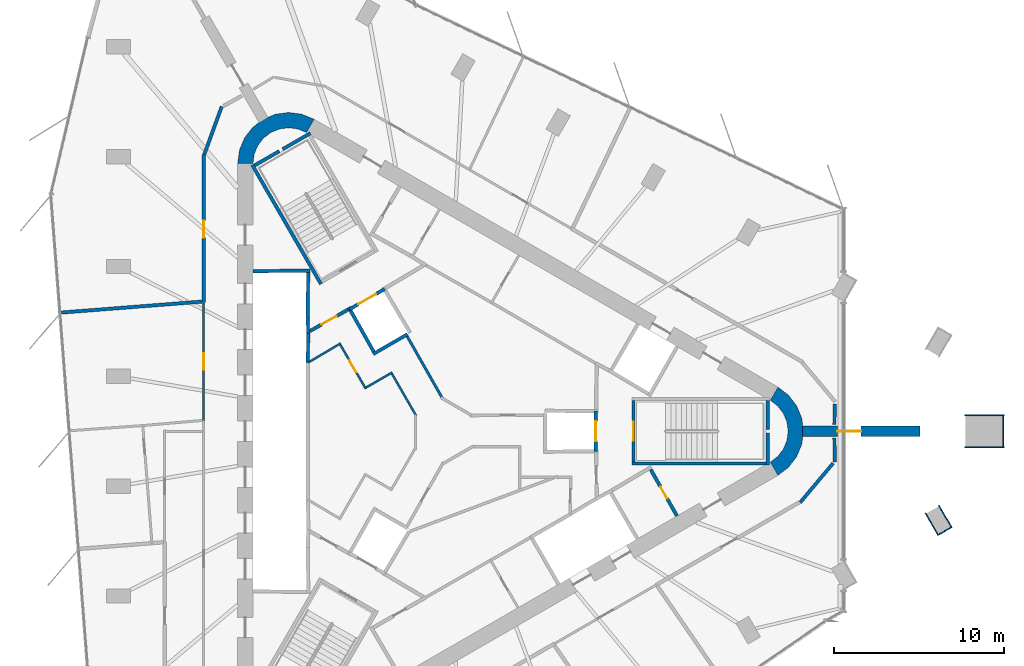
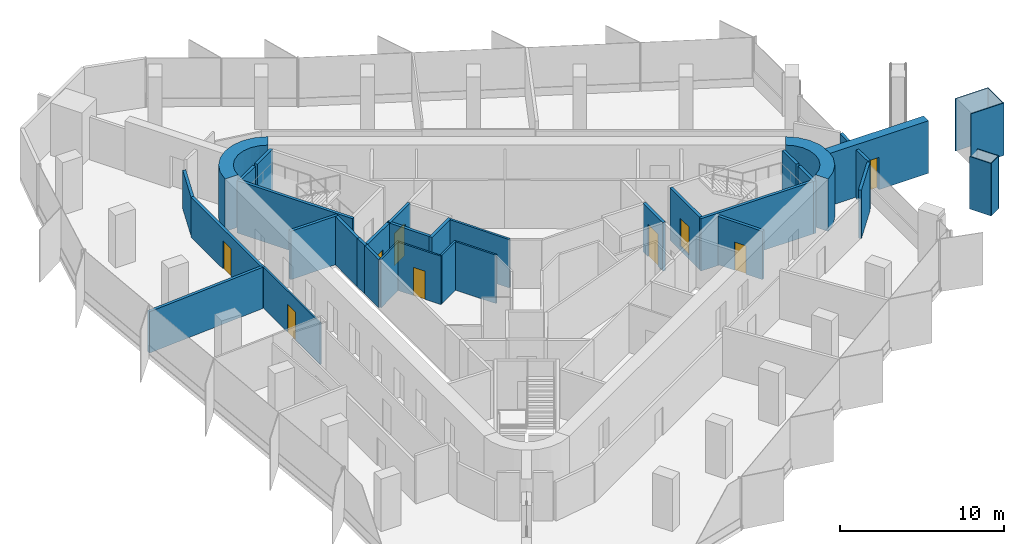
# One storey, part 9 of 12: 38 walls, 9 doors, 9 openings.
"""IFC4 building model written with IfcOpenShell, lengths in metres."""

from ifc_helpers import new_model, si_unit, direction, frame, frame_2d, origin, place, context, subcontext, project, spatial, polyline, rectangle, outline, extrude, material, layer, layer_set, type_object, element, fill, save


model = new_model("IFC4")

# Units and contexts
model_context = context("Model", 3, precision=1e-05, world=origin(), true_north=direction((0.0, 1.0)))
body_context = subcontext(model_context, "Body", "Model", "MODEL_VIEW")
ifc_project = project(units=[si_unit("LENGTHUNIT", "METRE"), si_unit("AREAUNIT", "SQUARE_METRE"), si_unit("VOLUMEUNIT", "CUBIC_METRE"), si_unit("PLANEANGLEUNIT", "RADIAN"), si_unit("MASSUNIT", "GRAM", prefix="KILO")], contexts=[model_context])

# Site, building, storey
site_placement = place(None, origin())
site = spatial("IfcSite", under=ifc_project, at=site_placement, CompositionType="ELEMENT")
building_placement = place(site_placement, origin())
building = spatial("IfcBuilding", under=site, at=building_placement, Name="Tanit Gate Tower", CompositionType="ELEMENT")
storey_placement = place(building_placement, frame((0.0, 0.0, 376.699951171875)))
storey = spatial("IfcBuildingStorey", under=building, at=storey_placement, Name="L86", CompositionType="ELEMENT", Elevation=376.699951171875)

# Wall, opening, door
ifc_material_1 = material(Name="Concrete C40/50", Category="concrete")
ifc_layer_1 = layer(ifc_material_1, 0.60009765625)
ifc_layer_set_1 = layer_set([ifc_layer_1], Name="BUTTRESS FIN 600 C40/50")
wall_type_1 = type_object("IfcWallType", Name="BUTTRESS FIN 600 C40/50", PredefinedType="SHEAR", material=ifc_layer_set_1)
wall_1_placement = place(storey_placement, frame((21.14990234375, 0.0, 0.0), z_axis=(0.0, 0.0, 1.0), x_axis=(1.0, 0.0, 0.0)))
wall_1 = element("IfcWall", 1, at=wall_1_placement, inside=storey, type_object=wall_type_1, Name="BUTTRESS FIN", PredefinedType="SHEAR", context=body_context, shape_type="SweptSolid", body=[
    extrude(rectangle(XDim=6.92138671875, YDim=0.60009765625, at=frame_2d((3.460693359375, 0.0))), origin(), (0.0, 0.0, 1.0), 3.900146484375),
])
opening_1_placement = place(wall_1_placement, frame((2.050048828125, 0.0, 0.0)))
opening_1 = element("IfcOpeningElement", 2, at=opening_1_placement, cuts=wall_1, Name="Opening P14-86-F-E-1", PredefinedType="OPENING", context=body_context, shape_type="SweptSolid", body=[
    extrude(rectangle(XDim=1.39990234375, YDim=2.39990234375, at=frame_2d((0.699951171875, 1.199951171875))), frame((0.0, 0.31005859375, 0.0), z_axis=(0.0, -1.0, 0.0), x_axis=(1.0, 0.0, 0.0)), (0.0, 0.0, 1.0), 0.6201171875),
])
ifc_material_2 = material(Name="Timber door leaf", Category="wood")
door_type_1 = type_object("IfcDoorType", Name="INT-DOOR-FIN-PAIR-1400", OperationType="NOTDEFINED", PredefinedType="NOTDEFINED", material=ifc_material_2)
door_1_placement = place(opening_1_placement, origin())
door_1 = element("IfcDoor", 3, at=door_1_placement, inside=storey, type_object=door_type_1, Name="Door P14-86-F-E-1", OperationType="DOUBLE_DOOR_SINGLE_SWING", OverallHeight=2.39990234375, OverallWidth=1.39990234375, PredefinedType="NOTDEFINED", context=body_context, shape_type="SweptSolid", body=[
    extrude(rectangle(XDim=1.39990234375, YDim=2.39990234375, at=frame_2d((0.699951171875, 1.199951171875))), frame((0.0, 0.02490234375, 0.0), z_axis=(0.0, -1.0, 0.0), x_axis=(1.0, 0.0, 0.0)), (0.0, 0.0, 1.0), 0.050048828125),
])
fill(opening_1, door_1)

# Walls
ifc_material_3 = material(Name="Concrete C40/50", Category="concrete")
ifc_layer_2 = layer(ifc_material_3, 0.89990234375)
ifc_layer_set_2 = layer_set([ifc_layer_2], Name="CORE WALL 900 C40/50")
wall_type_2 = type_object("IfcWallType", Name="CORE WALL 900 C40/50", PredefinedType="SHEAR", material=ifc_layer_set_2)
wall_2_placement = place(storey_placement, origin())
element("IfcWall", 4, at=wall_2_placement, inside=storey, type_object=wall_type_2, Name="CORE WALL CORNER", PredefinedType="SHEAR", context=body_context, shape_type="SweptSolid", body=[
    extrude(outline(polyline([(-7.60009765625, 18.359619140625), (-8.323486328125, 18.659423828125), (-9.10009765625, 18.76171875), (-9.87646484375, 18.659423828125), (-10.60009765625, 18.359619140625), (-11.22119140625, 17.883056640625), (-11.697998046875, 17.26171875), (-11.997802734375, 16.5380859375), (-12.10009765625, 15.76171875), (-11.199951171875, 15.76171875), (-11.12841796875, 16.30517578125), (-10.918701171875, 16.811767578125), (-10.5849609375, 17.24658203125), (-10.14990234375, 17.580322265625), (-9.6435546875, 17.7900390625), (-9.10009765625, 17.86181640625), (-8.556396484375, 17.7900390625), (-8.050048828125, 17.580322265625), (-7.60009765625, 18.359619140625)])), origin(), (0.0, 0.0, 1.0), 3.900146484375),
])
wall_3_placement = place(storey_placement, origin())
element("IfcWall", 5, at=wall_3_placement, inside=storey, type_object=wall_type_2, Name="CORE WALL CORNER", PredefinedType="SHEAR", context=body_context, shape_type="SweptSolid", body=[
    extrude(outline(polyline([(19.699951171875, -2.59814453125), (20.3212890625, -2.121337890625), (20.798095703125, -1.5), (21.097900390625, -0.776611328125), (21.199951171875, 0.0), (21.097900390625, 0.776611328125), (20.798095703125, 1.5), (20.3212890625, 2.121337890625), (19.699951171875, 2.59814453125), (19.25, 1.818603515625), (19.684814453125, 1.48486328125), (20.018798828125, 1.050048828125), (20.228515625, 0.54345703125), (20.300048828125, 0.0), (20.228515625, -0.54345703125), (20.018798828125, -1.050048828125), (19.684814453125, -1.48486328125), (19.25, -1.818603515625), (19.699951171875, -2.59814453125)])), origin(), (0.0, 0.0, 1.0), 3.900146484375),
])
ifc_material_4 = material(Name="Bronze anodised aluminium cladding", Category="aluminium")
ifc_layer_3 = layer(ifc_material_4, 0.06005859375)
ifc_layer_set_3 = layer_set([ifc_layer_3], Name="Column casing bronze 60")
wall_type_3 = type_object("IfcWallType", Name="Column casing bronze 60", PredefinedType="SOLIDWALL", material=ifc_layer_set_3)
for number, where, z_axis, x_axis, name in (
    (6, (30.68359375, 0.929931640625, 0.0), (0.0, 0.0, 1.0), (1.0, 0.0, 0.0), "Column casing L86 M-E.L1"),
    (7, (30.68359375, -0.929931640625, 0.0), (0.0, 0.0, 1.0), (1.0, 0.0, 0.0), "Column casing L86 M-E.L2"),
):
    element("IfcWall", number, at=place(storey_placement, frame(where, z_axis=z_axis, x_axis=x_axis)), inside=storey, type_object=wall_type_3, Name=name, PredefinedType="SOLIDWALL", context=body_context, shape_type="SweptSolid", body=[
        extrude(rectangle(XDim=2.320068359375, YDim=0.06005859375, at=frame_2d((1.16015625, 0.0))), origin(), (0.0, 0.0, 1.0), 3.900146484375),
    ])
wall_4_placement = place(storey_placement, frame((32.9736328125, -0.89990234375, 0.0), z_axis=(0.0, 0.0, 1.0), x_axis=(0.0, 1.0, 0.0)))
element("IfcWall", 8, at=wall_4_placement, inside=storey, type_object=wall_type_3, Name="Column casing L86 M-E.S1", PredefinedType="SOLIDWALL", context=body_context, shape_type="SweptSolid", body=[
    extrude(rectangle(XDim=1.7998046875, YDim=0.06005859375, at=frame_2d((0.89990234375, 0.0))), origin(), (0.0, 0.0, 1.0), 3.900146484375),
])
wall_5_placement = place(storey_placement, frame((29.16650390625, -4.36083984375, 0.0), z_axis=(0.0, 0.0, 1.0), x_axis=(0.499991248344, -0.866030456496, 0.0)))
element("IfcWall", 9, at=wall_5_placement, inside=storey, type_object=wall_type_3, Name="Column casing L86 P-SE8.L1", PredefinedType="SOLIDWALL", context=body_context, shape_type="SweptSolid", body=[
    extrude(rectangle(XDim=1.52001953125, YDim=0.06005859375, at=frame_2d((0.760009765625, 0.0))), origin(), (0.0, 0.0, 1.0), 3.900146484375),
])
wall_6_placement = place(storey_placement, frame((28.378662109375, -4.81591796875, 0.0), z_axis=(0.0, 0.0, 1.0), x_axis=(0.500060803479, -0.865990296034, 0.0)))
element("IfcWall", 10, at=wall_6_placement, inside=storey, type_object=wall_type_3, Name="Column casing L86 P-SE8.L2", PredefinedType="SOLIDWALL", context=body_context, shape_type="SweptSolid", body=[
    extrude(rectangle(XDim=1.519775390625, YDim=0.06005859375, at=frame_2d((0.759765625, 0.0))), origin(), (0.0, 0.0, 1.0), 3.900146484375),
])
wall_7_placement = place(storey_placement, frame((29.1494140625, -6.09130859375, 0.0), z_axis=(0.0, 0.0, 1.0), x_axis=(0.866061263272, 0.499937884402, 0.0)))
element("IfcWall", 11, at=wall_7_placement, inside=storey, type_object=wall_type_3, Name="Column casing L86 P-SE8.S1", PredefinedType="SOLIDWALL", context=body_context, shape_type="SweptSolid", body=[
    extrude(rectangle(XDim=0.85009765625, YDim=0.06005859375, at=frame_2d((0.425048828125, 0.0))), origin(), (0.0, 0.0, 1.0), 3.900146484375),
])

# Wall, opening, door
ifc_material_5 = material(Name="Fire-rated gypsum board partition")
ifc_layer_4 = layer(ifc_material_5, 0.199951171875)
ifc_layer_set_4 = layer_set([ifc_layer_4], Name="INT-WALL-COMPARTMENT")
wall_type_4 = type_object("IfcWallType", Name="INT-WALL-COMPARTMENT", PredefinedType="PARTITIONING", material=ifc_layer_set_4)
wall_8_placement = place(storey_placement, frame((13.758056640625, -4.989501953125, 0.0), z_axis=(0.0, 0.0, 1.0), x_axis=(-0.491993409184, 0.87059892334, 0.0)))
wall_8 = element("IfcWall", 12, at=wall_8_placement, inside=storey, type_object=wall_type_4, Name="Wall Compartment W061", PredefinedType="PARTITIONING", context=body_context, shape_type="SweptSolid", body=[
    extrude(rectangle(XDim=3.150146484375, YDim=0.199951171875, at=frame_2d((1.5751953125, 0.0))), origin(), (0.0, 0.0, 1.0), 3.60009765625),
])
opening_2_placement = place(wall_8_placement, frame((1.175048828125, 0.0, 0.0)))
opening_2 = element("IfcOpeningElement", 13, at=opening_2_placement, cuts=wall_8, Name="Opening R08-86-19", PredefinedType="OPENING", context=body_context, shape_type="SweptSolid", body=[
    extrude(rectangle(XDim=0.800048828125, YDim=2.10009765625, at=frame_2d((0.39990234375, 1.050048828125))), frame((0.0, 0.10986328125, 0.0), z_axis=(0.0, -1.0, 0.0), x_axis=(1.0, 0.0, 0.0)), (0.0, 0.0, 1.0), 0.219970703125),
])
ifc_material_6 = material(Name="Timber door leaf", Category="wood")
door_type_2 = type_object("IfcDoorType", Name="INT-DOOR-RISER-800", OperationType="NOTDEFINED", PredefinedType="USERDEFINED", material=ifc_material_6)
door_2_placement = place(opening_2_placement, origin())
door_2 = element("IfcDoor", 14, at=door_2_placement, inside=storey, type_object=door_type_2, Name="Door R08-86-19", ObjectType="FIRE DOOR", OperationType="SINGLE_SWING_RIGHT", OverallHeight=2.10009765625, OverallWidth=0.800048828125, PredefinedType="USERDEFINED", context=body_context, shape_type="SweptSolid", body=[
    extrude(rectangle(XDim=0.800048828125, YDim=2.10009765625, at=frame_2d((0.39990234375, 1.050048828125))), frame((0.0, 0.02490234375, 0.0), z_axis=(0.0, -1.0, 0.0), x_axis=(1.0, 0.0, 0.0)), (0.0, 0.0, 1.0), 0.050048828125),
])
fill(opening_2, door_2)

wall_9_placement = place(storey_placement, frame((-5.600341796875, 7.16015625, 0.0), z_axis=(0.0, 0.0, 1.0), x_axis=(-0.871363259478, -0.490638431059, 0.0)))
wall_9 = element("IfcWall", 15, at=wall_9_placement, inside=storey, type_object=wall_type_4, Name="Wall Compartment W065", PredefinedType="PARTITIONING", context=body_context, shape_type="SweptSolid", body=[
    extrude(rectangle(XDim=2.5810546875, YDim=0.199951171875, at=frame_2d((1.29052734375, 0.0))), origin(), (0.0, 0.0, 1.0), 3.60009765625),
])
opening_3_placement = place(wall_9_placement, frame((0.79052734375, 0.0, 0.0)))
opening_3 = element("IfcOpeningElement", 16, at=opening_3_placement, cuts=wall_9, Name="Opening F10-86-05", PredefinedType="OPENING", context=body_context, shape_type="SweptSolid", body=[
    extrude(rectangle(XDim=1.0, YDim=2.10009765625, at=frame_2d((0.5, 1.050048828125))), frame((0.0, 0.10986328125, 0.0), z_axis=(0.0, -1.0, 0.0), x_axis=(1.0, 0.0, 0.0)), (0.0, 0.0, 1.0), 0.219970703125),
])
ifc_material_7 = material(Name="Fire-rated steel door leaf", Category="steel")
door_type_3 = type_object("IfcDoorType", Name="INT-DOOR-FIRE-1000", OperationType="NOTDEFINED", PredefinedType="USERDEFINED", material=ifc_material_7)
door_3_placement = place(opening_3_placement, origin())
door_3 = element("IfcDoor", 17, at=door_3_placement, inside=storey, type_object=door_type_3, Name="Door F10-86-05", ObjectType="FIRE DOOR", OperationType="SINGLE_SWING_LEFT", OverallHeight=2.10009765625, OverallWidth=1.0, PredefinedType="USERDEFINED", context=body_context, shape_type="SweptSolid", body=[
    extrude(rectangle(XDim=1.0, YDim=2.10009765625, at=frame_2d((0.5, 1.050048828125))), frame((0.0, 0.02490234375, 0.0), z_axis=(0.0, -1.0, 0.0), x_axis=(1.0, 0.0, 0.0)), (0.0, 0.0, 1.0), 0.050048828125),
])
fill(opening_3, door_3)

wall_10_placement = place(storey_placement, frame((-14.10009765625, 16.293701171875, 0.0), z_axis=(0.0, 0.0, 1.0), x_axis=(0.0, -1.0, 0.0)))
wall_10 = element("IfcWall", 18, at=wall_10_placement, inside=storey, type_object=wall_type_4, Name="Wall Compartment W089", PredefinedType="PARTITIONING", context=body_context, shape_type="SweptSolid", body=[
    extrude(rectangle(XDim=8.716552734375, YDim=0.199951171875, at=frame_2d((4.3583984375, 0.0))), origin(), (0.0, 0.0, 1.0), 2.969970703125),
])
opening_4_placement = place(wall_10_placement, frame((3.89990234375, 0.0, 0.0)))
opening_4 = element("IfcOpeningElement", 19, at=opening_4_placement, cuts=wall_10, Name="Opening F10-86-20", PredefinedType="OPENING", context=body_context, shape_type="SweptSolid", body=[
    extrude(rectangle(XDim=1.0, YDim=2.10009765625, at=frame_2d((0.5, 1.050048828125))), frame((0.0, 0.10986328125, 0.0), z_axis=(0.0, -1.0, 0.0), x_axis=(1.0, 0.0, 0.0)), (0.0, 0.0, 1.0), 0.219970703125),
])
door_4_placement = place(opening_4_placement, origin())
door_4 = element("IfcDoor", 20, at=door_4_placement, inside=storey, type_object=door_type_3, Name="Door F10-86-20", ObjectType="FIRE DOOR", OperationType="SINGLE_SWING_LEFT", OverallHeight=2.10009765625, OverallWidth=1.0, PredefinedType="USERDEFINED", context=body_context, shape_type="SweptSolid", body=[
    extrude(rectangle(XDim=1.0, YDim=2.10009765625, at=frame_2d((0.5, 1.050048828125))), frame((0.0, 0.02490234375, 0.0), z_axis=(0.0, -1.0, 0.0), x_axis=(1.0, 0.0, 0.0)), (0.0, 0.0, 1.0), 0.050048828125),
])
fill(opening_4, door_4)

# Walls
wall_11_placement = place(storey_placement, frame((-13.037841796875, 19.11181640625, 0.0), z_axis=(0.0, 0.0, 1.0), x_axis=(-0.342062629946, -0.939677155833, 0.0)))
element("IfcWall", 21, at=wall_11_placement, inside=storey, type_object=wall_type_4, Name="Wall Compartment W090", PredefinedType="PARTITIONING", context=body_context, shape_type="SweptSolid", body=[
    extrude(rectangle(XDim=3.005615234375, YDim=0.199951171875, at=frame_2d((1.5029296875, 0.0))), origin(), (0.0, 0.0, 1.0), 2.880126953125),
])
wall_12_placement = place(storey_placement, frame((-22.54345703125, 6.979248046875, 0.0), z_axis=(0.0, 0.0, 1.0), x_axis=(0.99697780122, 0.07768696078, 0.0)))
element("IfcWall", 22, at=wall_12_placement, inside=storey, type_object=wall_type_4, Name="Wall Compartment W101", PredefinedType="PARTITIONING", context=body_context, shape_type="SweptSolid", body=[
    extrude(rectangle(XDim=8.368896484375, YDim=0.199951171875, at=frame_2d((4.1845703125, 0.0))), origin(), (0.0, 0.0, 1.0), 3.070068359375),
])
wall_13_placement = place(storey_placement, frame((23.02294921875, 0.39990234375, 0.0), z_axis=(0.0, 0.0, 1.0), x_axis=(0.017127676622, 0.999853310588, 0.0)))
element("IfcWall", 23, at=wall_13_placement, inside=storey, type_object=wall_type_4, Name="Wall Compartment W113", PredefinedType="PARTITIONING", context=body_context, shape_type="SweptSolid", body=[
    extrude(rectangle(XDim=1.211669921875, YDim=0.199951171875, at=frame_2d((0.60595703125, 0.0))), origin(), (0.0, 0.0, 1.0), 3.60009765625),
])
wall_14_placement = place(storey_placement, frame((23.046875, -1.80126953125, 0.0), z_axis=(0.0, 0.0, 1.0), x_axis=(-0.017070682919, 0.999854285276, 0.0)))
element("IfcWall", 24, at=wall_14_placement, inside=storey, type_object=wall_type_4, Name="Wall Compartment W124", PredefinedType="PARTITIONING", context=body_context, shape_type="SweptSolid", body=[
    extrude(rectangle(XDim=1.401611328125, YDim=0.199951171875, at=frame_2d((0.70068359375, 0.0))), origin(), (0.0, 0.0, 1.0), 3.60009765625),
])
wall_15_placement = place(storey_placement, frame((21.009765625, -4.190673828125, 0.0), z_axis=(0.0, 0.0, 1.0), x_axis=(0.642808479337, 0.766026930918, 0.0)))
element("IfcWall", 25, at=wall_15_placement, inside=storey, type_object=wall_type_4, Name="Wall Compartment W125", PredefinedType="PARTITIONING", context=body_context, shape_type="SweptSolid", body=[
    extrude(rectangle(XDim=3.015625, YDim=0.199951171875, at=frame_2d((1.5078125, 0.0))), origin(), (0.0, 0.0, 1.0), 3.60009765625),
])
ifc_material_8 = material(Name="Gypsum board partition")
ifc_layer_5 = layer(ifc_material_8, 0.1201171875)
ifc_layer_set_5 = layer_set([ifc_layer_5], Name="INT-WALL-PARTITION")
wall_type_5 = type_object("IfcWallType", Name="INT-WALL-PARTITION", PredefinedType="PARTITIONING", material=ifc_layer_set_5)
wall_16_placement = place(storey_placement, frame((-6.03662109375, 5.17578125, 0.0), z_axis=(0.0, 0.0, 1.0), x_axis=(-0.860106072674, -0.510115225953, 0.0)))
element("IfcWall", 26, at=wall_16_placement, inside=storey, type_object=wall_type_5, Name="Wall Partition W079", PredefinedType="PARTITIONING", context=body_context, shape_type="SweptSolid", body=[
    extrude(rectangle(XDim=2.224609375, YDim=0.1201171875, at=frame_2d((1.1123046875, 0.0))), origin(), (0.0, 0.0, 1.0), 3.60009765625),
])

# Wall, opening, door
wall_17_placement = place(storey_placement, frame((-4.558349609375, 2.4951171875, 0.0), z_axis=(0.0, 0.0, 1.0), x_axis=(-0.499990139034, 0.866031096941, 0.0)))
wall_17 = element("IfcWall", 27, at=wall_17_placement, inside=storey, type_object=wall_type_5, Name="Wall Partition W080", PredefinedType="PARTITIONING", context=body_context, shape_type="SweptSolid", body=[
    extrude(rectangle(XDim=3.0, YDim=0.1201171875, at=frame_2d((1.5, 0.0))), origin(), (0.0, 0.0, 1.0), 3.60009765625),
])
opening_5_placement = place(wall_17_placement, frame((1.1298828125, 0.0, 0.0)))
opening_5 = element("IfcOpeningElement", 28, at=opening_5_placement, cuts=wall_17, Name="Opening R08-86-13", PredefinedType="OPENING", context=body_context, shape_type="SweptSolid", body=[
    extrude(rectangle(XDim=0.800048828125, YDim=2.10009765625, at=frame_2d((0.39990234375, 1.050048828125))), frame((0.0, 0.070068359375, 0.0), z_axis=(0.0, -1.0, 0.0), x_axis=(1.0, 0.0, 0.0)), (0.0, 0.0, 1.0), 0.14013671875),
])
door_5_placement = place(opening_5_placement, origin())
door_5 = element("IfcDoor", 29, at=door_5_placement, inside=storey, type_object=door_type_2, Name="Door R08-86-13", ObjectType="FIRE DOOR", OperationType="SINGLE_SWING_LEFT", OverallHeight=2.10009765625, OverallWidth=0.800048828125, PredefinedType="USERDEFINED", context=body_context, shape_type="SweptSolid", body=[
    extrude(rectangle(XDim=0.800048828125, YDim=2.10009765625, at=frame_2d((0.39990234375, 1.050048828125))), frame((0.0, 0.02490234375, 0.0), z_axis=(0.0, -1.0, 0.0), x_axis=(1.0, 0.0, 0.0)), (0.0, 0.0, 1.0), 0.050048828125),
])
fill(opening_5, door_5)

# Walls
wall_18_placement = place(storey_placement, frame((-2.9990234375, 3.464599609375, 0.0), z_axis=(0.0, 0.0, 1.0), x_axis=(-0.866059624469, -0.499940723351, 0.0)))
element("IfcWall", 30, at=wall_18_placement, inside=storey, type_object=wall_type_5, Name="Wall Partition W081", PredefinedType="PARTITIONING", context=body_context, shape_type="SweptSolid", body=[
    extrude(rectangle(XDim=1.775146484375, YDim=0.1201171875, at=frame_2d((0.8876953125, 0.0))), origin(), (0.0, 0.0, 1.0), 3.60009765625),
])
wall_19_placement = place(storey_placement, frame((-1.593505859375, 0.909912109375, 0.0), z_axis=(0.0, 0.0, 1.0), x_axis=(-0.49997412077, 0.866040344649, 0.0)))
element("IfcWall", 31, at=wall_19_placement, inside=storey, type_object=wall_type_5, Name="Wall Partition W082", PredefinedType="PARTITIONING", context=body_context, shape_type="SweptSolid", body=[
    extrude(rectangle(XDim=2.855224609375, YDim=0.1201171875, at=frame_2d((1.427734375, 0.0))), origin(), (0.0, 0.0, 1.0), 3.60009765625),
])

# Wall, opening, door
wall_20_placement = place(storey_placement, frame((-14.10009765625, 7.536865234375, 0.0), z_axis=(0.0, 0.0, 1.0), x_axis=(0.0, -1.0, 0.0)))
wall_20 = element("IfcWall", 32, at=wall_20_placement, inside=storey, type_object=wall_type_5, Name="Wall Partition W092", PredefinedType="PARTITIONING", context=body_context, shape_type="SweptSolid", body=[
    extrude(rectangle(XDim=6.890869140625, YDim=0.1201171875, at=frame_2d((3.4453125, 0.0))), origin(), (0.0, 0.0, 1.0), 3.070068359375),
])
opening_6_placement = place(wall_20_placement, frame((2.931884765625, 0.0, 0.0)))
opening_6 = element("IfcOpeningElement", 33, at=opening_6_placement, cuts=wall_20, Name="Opening D10-86-21", PredefinedType="OPENING", context=body_context, shape_type="SweptSolid", body=[
    extrude(rectangle(XDim=1.0, YDim=2.10009765625, at=frame_2d((0.5, 1.050048828125))), frame((0.0, 0.070068359375, 0.0), z_axis=(0.0, -1.0, 0.0), x_axis=(1.0, 0.0, 0.0)), (0.0, 0.0, 1.0), 0.14013671875),
])
ifc_material_9 = material(Name="Timber door leaf", Category="wood")
door_type_4 = type_object("IfcDoorType", Name="INT-DOOR-SINGLE-1000", OperationType="NOTDEFINED", PredefinedType="NOTDEFINED", material=ifc_material_9)
door_6_placement = place(opening_6_placement, origin())
door_6 = element("IfcDoor", 34, at=door_6_placement, inside=storey, type_object=door_type_4, Name="Door D10-86-21", OperationType="SINGLE_SWING_LEFT", OverallHeight=2.10009765625, OverallWidth=1.0, PredefinedType="NOTDEFINED", context=body_context, shape_type="SweptSolid", body=[
    extrude(rectangle(XDim=1.0, YDim=2.10009765625, at=frame_2d((0.5, 1.050048828125))), frame((0.0, 0.02490234375, 0.0), z_axis=(0.0, -1.0, 0.0), x_axis=(1.0, 0.0, 0.0)), (0.0, 0.0, 1.0), 0.050048828125),
])
fill(opening_6, door_6)

# Walls
ifc_material_10 = material(Name="Fire-rated gypsum board partition")
ifc_layer_6 = layer(ifc_material_10, 0.14990234375)
ifc_layer_set_6 = layer_set([ifc_layer_6], Name="INT-WALL-RISER")
wall_type_6 = type_object("IfcWallType", Name="INT-WALL-RISER", PredefinedType="PLUMBINGWALL", material=ifc_layer_set_6)
wall_21_placement = place(storey_placement, frame((-2.1240234375, 5.58642578125, 0.0), z_axis=(0.0, 0.0, 1.0), x_axis=(0.494084527552, -0.869413871314, 0.0)))
element("IfcWall", 35, at=wall_21_placement, inside=storey, type_object=wall_type_6, Name="Wall Riser W070", PredefinedType="PLUMBINGWALL", context=body_context, shape_type="SweptSolid", body=[
    extrude(rectangle(XDim=4.187744140625, YDim=0.14990234375, at=frame_2d((2.09375, 0.0))), origin(), (0.0, 0.0, 1.0), 3.60009765625),
])
ifc_material_11 = material(Name="Gypsum shaft wall system")
ifc_layer_7 = layer(ifc_material_11, 0.199951171875)
ifc_layer_set_7 = layer_set([ifc_layer_7], Name="INT-WALL-SHAFT")
wall_type_7 = type_object("IfcWallType", Name="INT-WALL-SHAFT", PredefinedType="PLUMBINGWALL", material=ifc_layer_set_7)
wall_22_placement = place(storey_placement, frame((-11.199951171875, 9.419921875, 0.0), z_axis=(0.0, 0.0, 1.0), x_axis=(0.999957167047, 0.009255488683, 0.0)))
element("IfcWall", 36, at=wall_22_placement, inside=storey, type_object=wall_type_7, Name="Wall Shaft W001", PredefinedType="PLUMBINGWALL", context=body_context, shape_type="SweptSolid", body=[
    extrude(rectangle(XDim=3.35009765625, YDim=0.199951171875, at=frame_2d((1.675048828125, 0.0))), origin(), (0.0, 0.0, 1.0), 3.60009765625),
])
wall_23_placement = place(storey_placement, frame((-7.951171875, 9.35009765625, 0.0), z_axis=(0.0, 0.0, 1.0), x_axis=(-0.011120469654, -0.999938165666, 0.0)))
element("IfcWall", 37, at=wall_23_placement, inside=storey, type_object=wall_type_7, Name="Wall Shaft W002", PredefinedType="PLUMBINGWALL", context=body_context, shape_type="SweptSolid", body=[
    extrude(rectangle(XDim=2.700439453125, YDim=0.199951171875, at=frame_2d((1.35009765625, 0.0))), origin(), (0.0, 0.0, 1.0), 3.60009765625),
])
wall_24_placement = place(storey_placement, frame((-7.97705078125, 6.650146484375, 0.0), z_axis=(0.0, 0.0, 1.0), x_axis=(0.030861509705, -0.999523670164, 0.0)))
element("IfcWall", 38, at=wall_24_placement, inside=storey, type_object=wall_type_7, Name="Wall Shaft W003", PredefinedType="PLUMBINGWALL", context=body_context, shape_type="SweptSolid", body=[
    extrude(rectangle(XDim=0.878173828125, YDim=0.199951171875, at=frame_2d((0.43896484375, 0.0))), origin(), (0.0, 0.0, 1.0), 3.60009765625),
])
wall_25_placement = place(storey_placement, frame((-7.94921875, 5.894775390625, 0.0), z_axis=(0.0, 0.0, 1.0), x_axis=(-0.012042535896, -0.999927486035, 0.0)))
element("IfcWall", 39, at=wall_25_placement, inside=storey, type_object=wall_type_7, Name="Wall Shaft W004", PredefinedType="PLUMBINGWALL", context=body_context, shape_type="SweptSolid", body=[
    extrude(rectangle(XDim=1.844970703125, YDim=0.199951171875, at=frame_2d((0.92236328125, 0.0))), origin(), (0.0, 0.0, 1.0), 3.60009765625),
])

# Wall, opening, door
wall_26_placement = place(storey_placement, frame((8.969970703125, 1.199951171875, 0.0), z_axis=(0.0, 0.0, 1.0), x_axis=(0.0, -1.0, 0.0)))
wall_26 = element("IfcWall", 40, at=wall_26_placement, inside=storey, type_object=wall_type_7, Name="Wall Shaft W025", PredefinedType="PLUMBINGWALL", context=body_context, shape_type="SweptSolid", body=[
    extrude(rectangle(XDim=2.39990234375, YDim=0.199951171875, at=frame_2d((1.199951171875, 0.0))), origin(), (0.0, 0.0, 1.0), 3.60009765625),
])
opening_7_placement = place(wall_26_placement, frame((0.60009765625, 0.0, 0.0)))
opening_7 = element("IfcOpeningElement", 41, at=opening_7_placement, cuts=wall_26, Name="Opening LDFL1-L86", PredefinedType="OPENING", context=body_context, shape_type="SweptSolid", body=[
    extrude(rectangle(XDim=1.199951171875, YDim=2.39990234375, at=frame_2d((0.60009765625, 1.199951171875))), frame((0.0, 0.10986328125, 0.0), z_axis=(0.0, -1.0, 0.0), x_axis=(1.0, 0.0, 0.0)), (0.0, 0.0, 1.0), 0.219970703125),
])
ifc_material_12 = material(Name="Stainless steel sliding door leaf", Category="steel")
door_type_5 = type_object("IfcDoorType", Name="INT-DOOR-LANDING-1200", OperationType="NOTDEFINED", PredefinedType="USERDEFINED", material=ifc_material_12)
door_7_placement = place(opening_7_placement, origin())
door_7 = element("IfcDoor", 42, at=door_7_placement, inside=storey, type_object=door_type_5, Name="Door LDFL1-L86", ObjectType="LANDING DOOR", OperationType="SLIDING_TO_LEFT", OverallHeight=2.39990234375, OverallWidth=1.199951171875, PredefinedType="USERDEFINED", context=body_context, shape_type="SweptSolid", body=[
    extrude(rectangle(XDim=1.199951171875, YDim=2.39990234375, at=frame_2d((0.60009765625, 1.199951171875))), frame((0.0, 0.02490234375, 0.0), z_axis=(0.0, -1.0, 0.0), x_axis=(1.0, 0.0, 0.0)), (0.0, 0.0, 1.0), 0.050048828125),
])
fill(opening_7, door_7)

wall_27_placement = place(storey_placement, frame((-5.524169921875, 7.168212890625, 0.0), z_axis=(0.0, 0.0, 1.0), x_axis=(0.866024647952, 0.500001309137, 0.0)))
wall_27 = element("IfcWall", 43, at=wall_27_placement, inside=storey, type_object=wall_type_7, Name="Wall Shaft W034", PredefinedType="PLUMBINGWALL", context=body_context, shape_type="SweptSolid", body=[
    extrude(rectangle(XDim=2.39990234375, YDim=0.199951171875, at=frame_2d((1.199951171875, 0.0))), origin(), (0.0, 0.0, 1.0), 3.60009765625),
])
opening_8_placement = place(wall_27_placement, frame((0.60009765625, 0.0, 0.0)))
opening_8 = element("IfcOpeningElement", 44, at=opening_8_placement, cuts=wall_27, Name="Opening LDFL2-L86", PredefinedType="OPENING", context=body_context, shape_type="SweptSolid", body=[
    extrude(rectangle(XDim=1.199951171875, YDim=2.39990234375, at=frame_2d((0.60009765625, 1.199951171875))), frame((0.0, 0.10986328125, 0.0), z_axis=(0.0, -1.0, 0.0), x_axis=(1.0, 0.0, 0.0)), (0.0, 0.0, 1.0), 0.219970703125),
])
door_8_placement = place(opening_8_placement, origin())
door_8 = element("IfcDoor", 45, at=door_8_placement, inside=storey, type_object=door_type_5, Name="Door LDFL2-L86", ObjectType="LANDING DOOR", OperationType="SLIDING_TO_LEFT", OverallHeight=2.39990234375, OverallWidth=1.199951171875, PredefinedType="USERDEFINED", context=body_context, shape_type="SweptSolid", body=[
    extrude(rectangle(XDim=1.199951171875, YDim=2.39990234375, at=frame_2d((0.60009765625, 1.199951171875))), frame((0.0, 0.02490234375, 0.0), z_axis=(0.0, -1.0, 0.0), x_axis=(1.0, 0.0, 0.0)), (0.0, 0.0, 1.0), 0.050048828125),
])
fill(opening_8, door_8)

# Walls
wall_28_placement = place(storey_placement, frame((-2.1083984375, 5.7109375, 0.0), z_axis=(0.0, 0.0, 1.0), x_axis=(-0.866009305107, -0.50002788269, 0.0)))
element("IfcWall", 46, at=wall_28_placement, inside=storey, type_object=wall_type_7, Name="Wall Shaft W036", PredefinedType="PLUMBINGWALL", context=body_context, shape_type="SweptSolid", body=[
    extrude(rectangle(XDim=2.329345703125, YDim=0.199951171875, at=frame_2d((1.16455078125, 0.0))), origin(), (0.0, 0.0, 1.0), 3.60009765625),
])
wall_29_placement = place(storey_placement, frame((-5.5625, 7.29638671875, 0.0), z_axis=(0.0, 0.0, 1.0), x_axis=(0.49134651263, -0.870964180966, 0.0)))
element("IfcWall", 47, at=wall_29_placement, inside=storey, type_object=wall_type_7, Name="Wall Shaft W037", PredefinedType="PLUMBINGWALL", context=body_context, shape_type="SweptSolid", body=[
    extrude(rectangle(XDim=3.000244140625, YDim=0.199951171875, at=frame_2d((1.5, 0.0))), origin(), (0.0, 0.0, 1.0), 3.60009765625),
])
ifc_material_13 = material(Name="Concrete C40/50", Category="concrete")
ifc_layer_8 = layer(ifc_material_13, 0.199951171875)
ifc_layer_set_8 = layer_set([ifc_layer_8], Name="INT-WALL-STAIR")
wall_type_8 = type_object("IfcWallType", Name="INT-WALL-STAIR", PredefinedType="SHEAR", material=ifc_layer_set_8)
wall_30_placement = place(storey_placement, frame((19.10009765625, -2.0, -0.300048828125), z_axis=(0.0, 0.0, 1.0), x_axis=(0.0, 1.0, 0.0)))
element("IfcWall", 48, at=wall_30_placement, inside=storey, type_object=wall_type_8, Name="Wall Stair W022", PredefinedType="SHEAR", context=body_context, shape_type="SweptSolid", body=[
    extrude(rectangle(XDim=1.889892578125, YDim=0.199951171875, at=frame_2d((0.94482421875, 0.0))), origin(), (0.0, 0.0, 1.0), 3.900146484375),
])
wall_31_placement = place(storey_placement, frame((19.10009765625, 0.110107421875, -0.300048828125), z_axis=(0.0, 0.0, 1.0), x_axis=(0.0, 1.0, 0.0)))
element("IfcWall", 49, at=wall_31_placement, inside=storey, type_object=wall_type_8, Name="Wall Stair W021", PredefinedType="SHEAR", context=body_context, shape_type="SweptSolid", body=[
    extrude(rectangle(XDim=1.68994140625, YDim=0.199951171875, at=frame_2d((0.844970703125, 0.0))), origin(), (0.0, 0.0, 1.0), 3.900146484375),
])
wall_32_placement = place(storey_placement, frame((11.10009765625, -1.89990234375, -0.300048828125), z_axis=(0.0, 0.0, 1.0), x_axis=(1.0, 0.0, 0.0)))
element("IfcWall", 50, at=wall_32_placement, inside=storey, type_object=wall_type_8, Name="Wall Stair W023", PredefinedType="SHEAR", context=body_context, shape_type="SweptSolid", body=[
    extrude(rectangle(XDim=7.89990234375, YDim=0.199951171875, at=frame_2d((3.949951171875, 0.0))), origin(), (0.0, 0.0, 1.0), 3.900146484375),
])

# Wall, opening, door
wall_33_placement = place(storey_placement, frame((11.199951171875, -1.800048828125, -0.300048828125), z_axis=(0.0, 0.0, 1.0), x_axis=(0.0, 1.0, 0.0)))
wall_33 = element("IfcWall", 51, at=wall_33_placement, inside=storey, type_object=wall_type_8, Name="Wall Stair W024", PredefinedType="SHEAR", context=body_context, shape_type="SweptSolid", body=[
    extrude(rectangle(XDim=3.60009765625, YDim=0.199951171875, at=frame_2d((1.800048828125, 0.0))), origin(), (0.0, 0.0, 1.0), 3.900146484375),
])
opening_9_placement = place(wall_33_placement, frame((1.25, 0.0, 0.300048828125)))
opening_9 = element("IfcOpeningElement", 52, at=opening_9_placement, cuts=wall_33, Name="Opening S11-86-01", PredefinedType="OPENING", context=body_context, shape_type="SweptSolid", body=[
    extrude(rectangle(XDim=1.10009765625, YDim=2.10009765625, at=frame_2d((0.550048828125, 1.050048828125))), frame((0.0, 0.10986328125, 0.0), z_axis=(0.0, -1.0, 0.0), x_axis=(1.0, 0.0, 0.0)), (0.0, 0.0, 1.0), 0.219970703125),
])
ifc_material_14 = material(Name="Timber door leaf", Category="wood")
door_type_6 = type_object("IfcDoorType", Name="INT-DOOR-STAIR-1100", OperationType="NOTDEFINED", PredefinedType="USERDEFINED", material=ifc_material_14)
door_9_placement = place(opening_9_placement, origin())
door_9 = element("IfcDoor", 53, at=door_9_placement, inside=storey, type_object=door_type_6, Name="Door S11-86-01", ObjectType="FIRE DOOR", OperationType="SINGLE_SWING_RIGHT", OverallHeight=2.10009765625, OverallWidth=1.10009765625, PredefinedType="USERDEFINED", context=body_context, shape_type="SweptSolid", body=[
    extrude(rectangle(XDim=1.10009765625, YDim=2.10009765625, at=frame_2d((0.550048828125, 1.050048828125))), frame((0.0, 0.02490234375, 0.0), z_axis=(0.0, -1.0, 0.0), x_axis=(1.0, 0.0, 0.0)), (0.0, 0.0, 1.0), 0.050048828125),
])
fill(opening_9, door_9)

# Walls
wall_34_placement = place(storey_placement, frame((-11.245361328125, 15.677734375, -0.300048828125), z_axis=(0.0, 0.0, 1.0), x_axis=(0.499977274689, -0.866038523851, 0.0)))
element("IfcWall", 54, at=wall_34_placement, inside=storey, type_object=wall_type_8, Name="Wall Stair W029", PredefinedType="SHEAR", context=body_context, shape_type="SweptSolid", body=[
    extrude(rectangle(XDim=8.10009765625, YDim=0.199951171875, at=frame_2d((4.050048828125, 0.0))), origin(), (0.0, 0.0, 1.0), 3.900146484375),
])
wall_35_placement = place(storey_placement, frame((-7.81787109375, 17.541015625, -0.300048828125), z_axis=(0.0, 0.0, 1.0), x_axis=(-0.866088799389, -0.499890179513, 0.0)))
element("IfcWall", 55, at=wall_35_placement, inside=storey, type_object=wall_type_8, Name="Wall Stair W031", PredefinedType="SHEAR", context=body_context, shape_type="SweptSolid", body=[
    extrude(rectangle(XDim=1.89013671875, YDim=0.199951171875, at=frame_2d((0.945068359375, 0.0))), origin(), (0.0, 0.0, 1.0), 3.900146484375),
])
wall_36_placement = place(storey_placement, frame((-9.645263671875, 16.486083984375, -0.300048828125), z_axis=(0.0, 0.0, 1.0), x_axis=(-0.866038843867, -0.499976720371, 0.0)))
element("IfcWall", 56, at=wall_36_placement, inside=storey, type_object=wall_type_8, Name="Wall Stair W030", PredefinedType="SHEAR", context=body_context, shape_type="SweptSolid", body=[
    extrude(rectangle(XDim=1.68994140625, YDim=0.199951171875, at=frame_2d((0.844970703125, 0.0))), origin(), (0.0, 0.0, 1.0), 3.900146484375),
])

save(model, "model.ifc")
